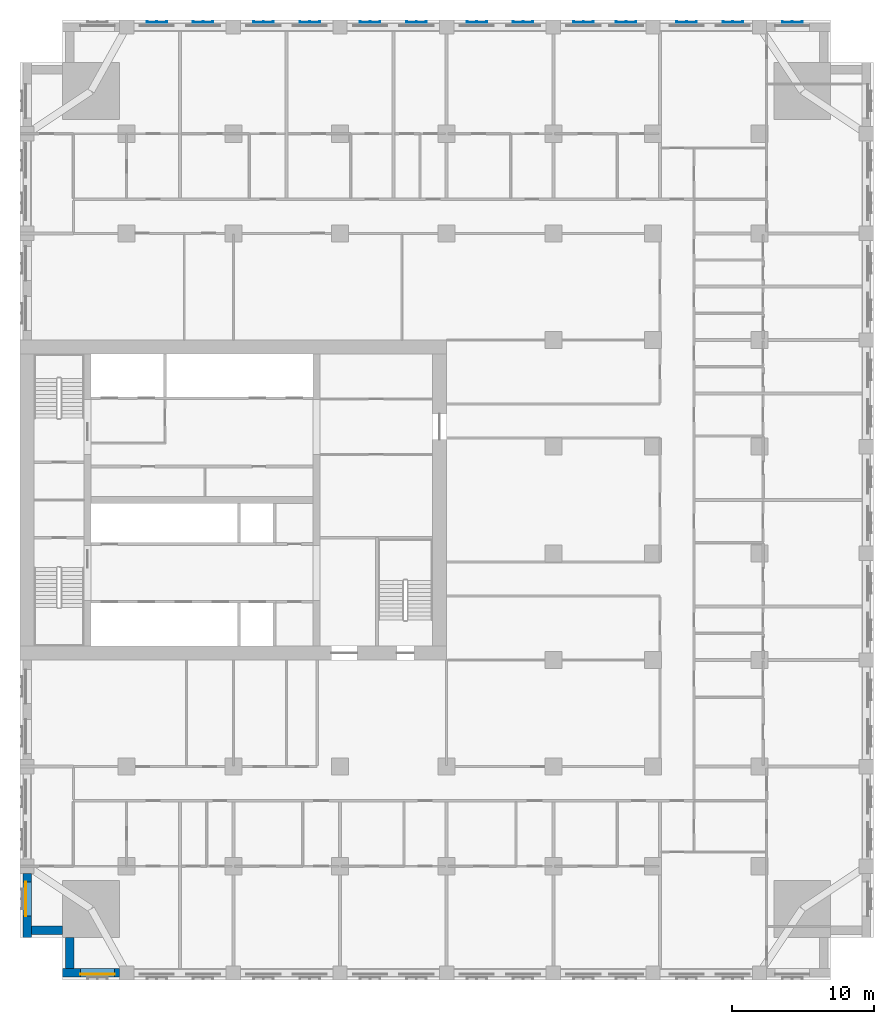
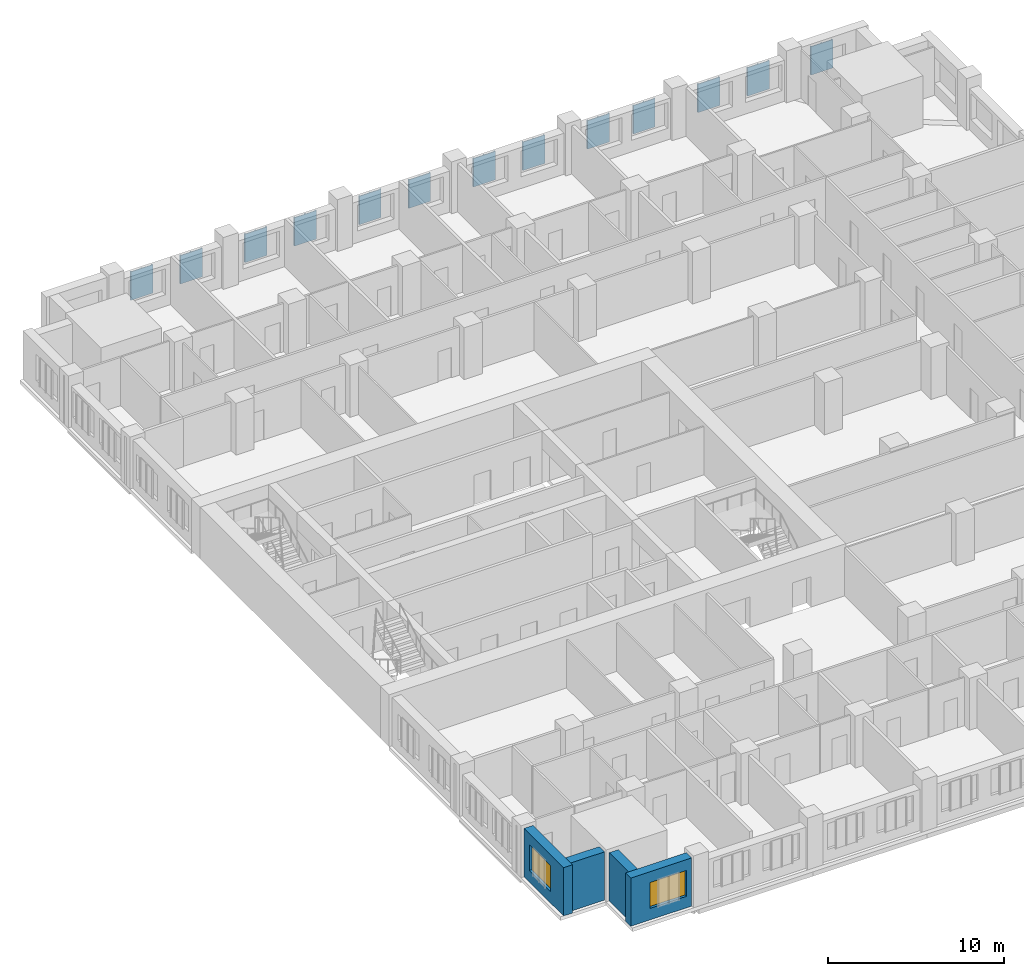
# One storey, part 3 of 14: 13 plates, 4 walls, 2 windows, 2 openings.
"""IFC4 building model written with IfcOpenShell, lengths in metres."""

from ifc_helpers import new_model, si_unit, direction, frame, frame_2d, origin, place, context, subcontext, project, spatial, polyline, rectangle, outline, extrude, material, layer, layer_set, type_object, element, fill, save


model = new_model("IFC4")

# Units and contexts
model_context = context("Model", 3, precision=1e-05, world=origin(), true_north=direction((0.0, 1.0)))
body_context = subcontext(model_context, "Body", "Model", "MODEL_VIEW")
ifc_project = project(units=[si_unit("LENGTHUNIT", "METRE"), si_unit("AREAUNIT", "SQUARE_METRE"), si_unit("VOLUMEUNIT", "CUBIC_METRE"), si_unit("PLANEANGLEUNIT", "RADIAN"), si_unit("MASSUNIT", "GRAM", prefix="KILO")], contexts=[model_context])

# Site, building, storey
site_placement = place(None, origin())
site = spatial("IfcSite", under=ifc_project, at=site_placement, CompositionType="ELEMENT")
building_placement = place(site_placement, origin())
building = spatial("IfcBuilding", under=site, at=building_placement, Name="Tamorin Gate", CompositionType="ELEMENT")
storey_placement = place(building_placement, frame((0.0, 0.0, 59.199951171875)))
storey = spatial("IfcBuildingStorey", under=building, at=storey_placement, Name="L13", CompositionType="ELEMENT", Elevation=59.199951171875)

# Plates
ifc_material_1 = material(Name="Perforated pale aluminium sheet", Category="aluminium")
ifc_layer_1 = layer(ifc_material_1, 0.0400390625)
ifc_layer_set_1 = layer_set([ifc_layer_1], Name="Pale metal solar screen 1440")
plate_type = type_object("IfcPlateType", Name="Pale metal solar screen 1440", PredefinedType="SHEET", material=ifc_layer_set_1)
plate_1_placement = place(storey_placement, frame((0.0, 0.0, 0.7099609375)))
element("IfcPlate", 1, at=plate_1_placement, inside=storey, type_object=plate_type, Name="Perforated solar screen", PredefinedType="SHEET", context=body_context, shape_type="SweptSolid", body=[
    extrude(outline(polyline([(85.02001953125, 104.840087890625), (85.02001953125, 104.800048828125), (84.9599609375, 104.800048828125), (84.330078125, 104.800048828125), (84.27001953125, 104.800048828125), (83.639892578125, 104.800048828125), (83.580078125, 104.800048828125), (83.580078125, 104.840087890625), (83.580078125, 104.89990234375), (83.639892578125, 104.89990234375), (83.639892578125, 104.840087890625), (84.27001953125, 104.840087890625), (84.27001953125, 104.89990234375), (84.330078125, 104.89990234375), (84.330078125, 104.840087890625), (84.9599609375, 104.840087890625), (84.9599609375, 104.89990234375), (85.02001953125, 104.89990234375), (85.02001953125, 104.840087890625)])), origin(), (0.0, 0.0, 1.0), 1.97998046875),
])
plate_2_placement = place(storey_placement, frame((0.0, 0.0, 0.7099609375)))
element("IfcPlate", 2, at=plate_2_placement, inside=storey, type_object=plate_type, Name="Perforated solar screen", PredefinedType="SHEET", context=body_context, shape_type="SweptSolid", body=[
    extrude(outline(polyline([(77.594970703125, 104.840087890625), (77.594970703125, 104.800048828125), (77.534912109375, 104.800048828125), (76.905029296875, 104.800048828125), (76.844970703125, 104.800048828125), (76.215087890625, 104.800048828125), (76.155029296875, 104.800048828125), (76.155029296875, 104.840087890625), (76.155029296875, 104.89990234375), (76.215087890625, 104.89990234375), (76.215087890625, 104.840087890625), (76.844970703125, 104.840087890625), (76.844970703125, 104.89990234375), (76.905029296875, 104.89990234375), (76.905029296875, 104.840087890625), (77.534912109375, 104.840087890625), (77.534912109375, 104.89990234375), (77.594970703125, 104.89990234375), (77.594970703125, 104.840087890625)])), origin(), (0.0, 0.0, 1.0), 1.97998046875),
])
plate_3_placement = place(storey_placement, frame((0.0, 0.0, 0.7099609375)))
element("IfcPlate", 3, at=plate_3_placement, inside=storey, type_object=plate_type, Name="Perforated solar screen", PredefinedType="SHEET", context=body_context, shape_type="SweptSolid", body=[
    extrude(outline(polyline([(80.844970703125, 104.840087890625), (80.844970703125, 104.800048828125), (80.784912109375, 104.800048828125), (80.155029296875, 104.800048828125), (80.094970703125, 104.800048828125), (79.465087890625, 104.800048828125), (79.405029296875, 104.800048828125), (79.405029296875, 104.800048828125), (79.405029296875, 104.840087890625), (79.405029296875, 104.840087890625), (79.405029296875, 104.89990234375), (79.465087890625, 104.89990234375), (79.465087890625, 104.840087890625), (80.094970703125, 104.840087890625), (80.094970703125, 104.89990234375), (80.155029296875, 104.89990234375), (80.155029296875, 104.840087890625), (80.784912109375, 104.840087890625), (80.784912109375, 104.89990234375), (80.844970703125, 104.89990234375), (80.844970703125, 104.840087890625)])), origin(), (0.0, 0.0, 1.0), 1.97998046875),
])
plate_4_placement = place(storey_placement, frame((0.0, 0.0, 0.7099609375)))
element("IfcPlate", 4, at=plate_4_placement, inside=storey, type_object=plate_type, Name="Perforated solar screen", PredefinedType="SHEET", context=body_context, shape_type="SweptSolid", body=[
    extrude(outline(polyline([(70.344970703125, 104.840087890625), (70.344970703125, 104.800048828125), (70.284912109375, 104.800048828125), (69.655029296875, 104.800048828125), (69.594970703125, 104.800048828125), (68.965087890625, 104.800048828125), (68.905029296875, 104.800048828125), (68.905029296875, 104.840087890625), (68.905029296875, 104.89990234375), (68.965087890625, 104.89990234375), (68.965087890625, 104.840087890625), (69.594970703125, 104.840087890625), (69.594970703125, 104.89990234375), (69.655029296875, 104.89990234375), (69.655029296875, 104.840087890625), (70.284912109375, 104.840087890625), (70.284912109375, 104.89990234375), (70.344970703125, 104.89990234375), (70.344970703125, 104.840087890625)])), origin(), (0.0, 0.0, 1.0), 1.97998046875),
])
plate_5_placement = place(storey_placement, frame((0.0, 0.0, 0.7099609375)))
element("IfcPlate", 5, at=plate_5_placement, inside=storey, type_object=plate_type, Name="Perforated solar screen", PredefinedType="SHEET", context=body_context, shape_type="SweptSolid", body=[
    extrude(outline(polyline([(73.344970703125, 104.840087890625), (73.344970703125, 104.800048828125), (73.284912109375, 104.800048828125), (72.655029296875, 104.800048828125), (72.594970703125, 104.800048828125), (71.965087890625, 104.800048828125), (71.905029296875, 104.800048828125), (71.905029296875, 104.840087890625), (71.905029296875, 104.89990234375), (71.965087890625, 104.89990234375), (71.965087890625, 104.840087890625), (72.594970703125, 104.840087890625), (72.594970703125, 104.89990234375), (72.655029296875, 104.89990234375), (72.655029296875, 104.840087890625), (73.284912109375, 104.840087890625), (73.284912109375, 104.89990234375), (73.344970703125, 104.89990234375), (73.344970703125, 104.840087890625)])), origin(), (0.0, 0.0, 1.0), 1.97998046875),
])
plate_6_placement = place(storey_placement, frame((0.0, 0.0, 0.7099609375)))
element("IfcPlate", 6, at=plate_6_placement, inside=storey, type_object=plate_type, Name="Perforated solar screen", PredefinedType="SHEET", context=body_context, shape_type="SweptSolid", body=[
    extrude(outline(polyline([(62.844970703125, 104.840087890625), (62.844970703125, 104.800048828125), (62.784912109375, 104.800048828125), (62.155029296875, 104.800048828125), (62.094970703125, 104.800048828125), (61.465087890625, 104.800048828125), (61.405029296875, 104.800048828125), (61.405029296875, 104.840087890625), (61.405029296875, 104.89990234375), (61.465087890625, 104.89990234375), (61.465087890625, 104.840087890625), (62.094970703125, 104.840087890625), (62.094970703125, 104.89990234375), (62.155029296875, 104.89990234375), (62.155029296875, 104.840087890625), (62.784912109375, 104.840087890625), (62.784912109375, 104.89990234375), (62.844970703125, 104.89990234375), (62.844970703125, 104.840087890625)])), origin(), (0.0, 0.0, 1.0), 1.97998046875),
])
plate_7_placement = place(storey_placement, frame((0.0, 0.0, 0.7099609375)))
element("IfcPlate", 7, at=plate_7_placement, inside=storey, type_object=plate_type, Name="Perforated solar screen", PredefinedType="SHEET", context=body_context, shape_type="SweptSolid", body=[
    extrude(outline(polyline([(66.094970703125, 104.840087890625), (66.094970703125, 104.800048828125), (66.034912109375, 104.800048828125), (65.405029296875, 104.800048828125), (65.344970703125, 104.800048828125), (64.715087890625, 104.800048828125), (64.655029296875, 104.800048828125), (64.655029296875, 104.840087890625), (64.655029296875, 104.89990234375), (64.715087890625, 104.89990234375), (64.715087890625, 104.840087890625), (65.344970703125, 104.840087890625), (65.344970703125, 104.89990234375), (65.405029296875, 104.89990234375), (65.405029296875, 104.840087890625), (66.034912109375, 104.840087890625), (66.034912109375, 104.89990234375), (66.094970703125, 104.89990234375), (66.094970703125, 104.840087890625)])), origin(), (0.0, 0.0, 1.0), 1.97998046875),
])
plate_8_placement = place(storey_placement, frame((0.0, 0.0, 0.7099609375)))
element("IfcPlate", 8, at=plate_8_placement, inside=storey, type_object=plate_type, Name="Perforated solar screen", PredefinedType="SHEET", context=body_context, shape_type="SweptSolid", body=[
    extrude(outline(polyline([(55.344970703125, 104.840087890625), (55.344970703125, 104.800048828125), (55.284912109375, 104.800048828125), (54.655029296875, 104.800048828125), (54.594970703125, 104.800048828125), (53.965087890625, 104.800048828125), (53.905029296875, 104.800048828125), (53.905029296875, 104.840087890625), (53.905029296875, 104.89990234375), (53.965087890625, 104.89990234375), (53.965087890625, 104.840087890625), (54.594970703125, 104.840087890625), (54.594970703125, 104.89990234375), (54.655029296875, 104.89990234375), (54.655029296875, 104.840087890625), (55.284912109375, 104.840087890625), (55.284912109375, 104.89990234375), (55.344970703125, 104.89990234375), (55.344970703125, 104.840087890625)])), origin(), (0.0, 0.0, 1.0), 1.97998046875),
])
plate_9_placement = place(storey_placement, frame((0.0, 0.0, 0.7099609375)))
element("IfcPlate", 9, at=plate_9_placement, inside=storey, type_object=plate_type, Name="Perforated solar screen", PredefinedType="SHEET", context=body_context, shape_type="SweptSolid", body=[
    extrude(outline(polyline([(58.594970703125, 104.840087890625), (58.594970703125, 104.800048828125), (58.534912109375, 104.800048828125), (57.905029296875, 104.800048828125), (57.844970703125, 104.800048828125), (57.215087890625, 104.800048828125), (57.155029296875, 104.800048828125), (57.155029296875, 104.840087890625), (57.155029296875, 104.89990234375), (57.215087890625, 104.89990234375), (57.215087890625, 104.840087890625), (57.844970703125, 104.840087890625), (57.844970703125, 104.89990234375), (57.905029296875, 104.89990234375), (57.905029296875, 104.840087890625), (58.534912109375, 104.840087890625), (58.534912109375, 104.89990234375), (58.594970703125, 104.89990234375), (58.594970703125, 104.840087890625)])), origin(), (0.0, 0.0, 1.0), 1.97998046875),
])
plate_10_placement = place(storey_placement, frame((0.0, 0.0, 0.7099609375)))
element("IfcPlate", 10, at=plate_10_placement, inside=storey, type_object=plate_type, Name="Perforated solar screen", PredefinedType="SHEET", context=body_context, shape_type="SweptSolid", body=[
    extrude(outline(polyline([(47.844970703125, 104.840087890625), (47.844970703125, 104.800048828125), (47.784912109375, 104.800048828125), (47.155029296875, 104.800048828125), (47.094970703125, 104.800048828125), (46.465087890625, 104.800048828125), (46.405029296875, 104.800048828125), (46.405029296875, 104.840087890625), (46.405029296875, 104.89990234375), (46.465087890625, 104.89990234375), (46.465087890625, 104.840087890625), (47.094970703125, 104.840087890625), (47.094970703125, 104.89990234375), (47.155029296875, 104.89990234375), (47.155029296875, 104.840087890625), (47.784912109375, 104.840087890625), (47.784912109375, 104.89990234375), (47.844970703125, 104.89990234375), (47.844970703125, 104.840087890625)])), origin(), (0.0, 0.0, 1.0), 1.97998046875),
])
plate_11_placement = place(storey_placement, frame((0.0, 0.0, 0.7099609375)))
element("IfcPlate", 11, at=plate_11_placement, inside=storey, type_object=plate_type, Name="Perforated solar screen", PredefinedType="SHEET", context=body_context, shape_type="SweptSolid", body=[
    extrude(outline(polyline([(51.094970703125, 104.840087890625), (51.094970703125, 104.800048828125), (51.034912109375, 104.800048828125), (50.405029296875, 104.800048828125), (50.344970703125, 104.800048828125), (49.715087890625, 104.800048828125), (49.655029296875, 104.800048828125), (49.655029296875, 104.840087890625), (49.655029296875, 104.89990234375), (49.715087890625, 104.89990234375), (49.715087890625, 104.840087890625), (50.344970703125, 104.840087890625), (50.344970703125, 104.89990234375), (50.405029296875, 104.89990234375), (50.405029296875, 104.840087890625), (51.034912109375, 104.840087890625), (51.034912109375, 104.89990234375), (51.094970703125, 104.89990234375), (51.094970703125, 104.840087890625)])), origin(), (0.0, 0.0, 1.0), 1.97998046875),
])
plate_12_placement = place(storey_placement, frame((0.0, 0.0, 0.7099609375)))
element("IfcPlate", 12, at=plate_12_placement, inside=storey, type_object=plate_type, Name="Perforated solar screen", PredefinedType="SHEET", context=body_context, shape_type="SweptSolid", body=[
    extrude(outline(polyline([(40.344970703125, 104.840087890625), (40.344970703125, 104.800048828125), (40.284912109375, 104.800048828125), (39.655029296875, 104.800048828125), (39.594970703125, 104.800048828125), (38.965087890625, 104.800048828125), (38.905029296875, 104.800048828125), (38.905029296875, 104.840087890625), (38.905029296875, 104.89990234375), (38.965087890625, 104.89990234375), (38.965087890625, 104.840087890625), (39.594970703125, 104.840087890625), (39.594970703125, 104.89990234375), (39.655029296875, 104.89990234375), (39.655029296875, 104.840087890625), (40.284912109375, 104.840087890625), (40.284912109375, 104.89990234375), (40.344970703125, 104.89990234375), (40.344970703125, 104.840087890625)])), origin(), (0.0, 0.0, 1.0), 1.97998046875),
])
plate_13_placement = place(storey_placement, frame((0.0, 0.0, 0.7099609375)))
element("IfcPlate", 13, at=plate_13_placement, inside=storey, type_object=plate_type, Name="Perforated solar screen", PredefinedType="SHEET", context=body_context, shape_type="SweptSolid", body=[
    extrude(outline(polyline([(43.594970703125, 104.840087890625), (43.594970703125, 104.800048828125), (43.534912109375, 104.800048828125), (42.905029296875, 104.800048828125), (42.844970703125, 104.800048828125), (42.215087890625, 104.800048828125), (42.155029296875, 104.800048828125), (42.155029296875, 104.840087890625), (42.155029296875, 104.89990234375), (42.215087890625, 104.89990234375), (42.215087890625, 104.840087890625), (42.844970703125, 104.840087890625), (42.844970703125, 104.89990234375), (42.905029296875, 104.89990234375), (42.905029296875, 104.840087890625), (43.534912109375, 104.840087890625), (43.534912109375, 104.89990234375), (43.594970703125, 104.89990234375), (43.594970703125, 104.840087890625)])), origin(), (0.0, 0.0, 1.0), 1.97998046875),
])

# Wall, opening, window
ifc_material_2 = material(Name="Precast concrete C40/50", Category="concrete")
ifc_layer_2 = layer(ifc_material_2, 0.60009765625)
ifc_layer_set_2 = layer_set([ifc_layer_2], Name="Precast concrete C40/50")
wall_type = type_object("IfcWallType", Name="Board-marked concrete facade panel 600", PredefinedType="SOLIDWALL", material=ifc_layer_set_2)
wall_1_placement = place(storey_placement, frame((33.0, 38.0, 0.0), z_axis=(0.0, 0.0, 1.0), x_axis=(1.0, 0.0, 0.0)))
wall_1 = element("IfcWall", 14, at=wall_1_placement, inside=storey, type_object=wall_type, Name="Facade panel", PredefinedType="SOLIDWALL", context=body_context, shape_type="SweptSolid", body=[
    extrude(rectangle(XDim=4.0, YDim=0.60009765625, at=frame_2d((2.0, 0.0))), origin(), (0.0, 0.0, 1.0), 3.35009765625),
])
opening_1_placement = place(wall_1_placement, frame((1.25, 0.0, 0.800048828125)))
opening_1 = element("IfcOpeningElement", 15, at=opening_1_placement, cuts=wall_1, Name="Opening WN1", PredefinedType="OPENING", context=body_context, shape_type="SweptSolid", body=[
    extrude(rectangle(XDim=2.39990234375, YDim=1.800048828125, at=frame_2d((1.199951171875, 0.89990234375))), frame((0.0, 0.31005859375, 0.0), z_axis=(0.0, -1.0, 0.0), x_axis=(1.0, 0.0, 0.0)), (0.0, 0.0, 1.0), 0.6201171875),
])
ifc_material_3 = material(Name="Clear glass in aluminium frame", Category="aluminium")
window_type = type_object("IfcWindowType", Name="Deep-set window 2400x1800", PartitioningType="SINGLE_PANEL", PredefinedType="WINDOW", material=ifc_material_3)
window_1_placement = place(opening_1_placement, origin())
window_1 = element("IfcWindow", 16, at=window_1_placement, inside=storey, type_object=window_type, Name="Deep-set window", OverallHeight=1.800048828125, OverallWidth=2.39990234375, PartitioningType="SINGLE_PANEL", PredefinedType="WINDOW", context=body_context, shape_type="SweptSolid", body=[
    extrude(rectangle(XDim=2.39990234375, YDim=1.800048828125, at=frame_2d((1.199951171875, 0.89990234375))), frame((0.0, -0.070068359375, 0.0), z_axis=(0.0, -1.0, 0.0), x_axis=(1.0, 0.0, 0.0)), (0.0, 0.0, 1.0), 0.06005859375),
])
fill(opening_1, window_1)

wall_2_placement = place(storey_placement, frame((30.5, 45.0, 0.0), z_axis=(0.0, 0.0, 1.0), x_axis=(0.0, -1.0, 0.0)))
wall_2 = element("IfcWall", 17, at=wall_2_placement, inside=storey, type_object=wall_type, Name="Facade panel", PredefinedType="SOLIDWALL", context=body_context, shape_type="SweptSolid", body=[
    extrude(rectangle(XDim=4.5, YDim=0.60009765625, at=frame_2d((2.25, 0.0))), origin(), (0.0, 0.0, 1.0), 3.35009765625),
])
opening_2_placement = place(wall_2_placement, frame((0.60009765625, 0.0, 0.800048828125)))
opening_2 = element("IfcOpeningElement", 18, at=opening_2_placement, cuts=wall_2, Name="Opening WN1", PredefinedType="OPENING", context=body_context, shape_type="SweptSolid", body=[
    extrude(rectangle(XDim=2.39990234375, YDim=1.800048828125, at=frame_2d((1.199951171875, 0.89990234375))), frame((0.0, 0.31005859375, 0.0), z_axis=(0.0, -1.0, 0.0), x_axis=(1.0, 0.0, 0.0)), (0.0, 0.0, 1.0), 0.6201171875),
])
window_2_placement = place(opening_2_placement, origin())
window_2 = element("IfcWindow", 19, at=window_2_placement, inside=storey, type_object=window_type, Name="Deep-set window", OverallHeight=1.800048828125, OverallWidth=2.39990234375, PartitioningType="SINGLE_PANEL", PredefinedType="WINDOW", context=body_context, shape_type="SweptSolid", body=[
    extrude(rectangle(XDim=2.39990234375, YDim=1.800048828125, at=frame_2d((1.199951171875, 0.89990234375))), frame((0.0, -0.070068359375, 0.0), z_axis=(0.0, -1.0, 0.0), x_axis=(1.0, 0.0, 0.0)), (0.0, 0.0, 1.0), 0.06005859375),
])
fill(opening_2, window_2)

# Walls
for number, where, z_axis, x_axis, name in (
    (20, (30.800048828125, 41.0, 0.0), (0.0, 0.0, 1.0), (1.0, 0.0, 0.0), "Facade panel"),
    (21, (33.5, 40.5, 0.0), (0.0, 0.0, 1.0), (0.0, -1.0, 0.0), "Facade panel"),
):
    element("IfcWall", number, at=place(storey_placement, frame(where, z_axis=z_axis, x_axis=x_axis)), inside=storey, type_object=wall_type, Name=name, PredefinedType="SOLIDWALL", context=body_context, shape_type="SweptSolid", body=[
        extrude(rectangle(XDim=2.199951171875, YDim=0.60009765625, at=frame_2d((1.10009765625, 0.0))), origin(), (0.0, 0.0, 1.0), 3.35009765625),
    ])

save(model, "model.ifc")
